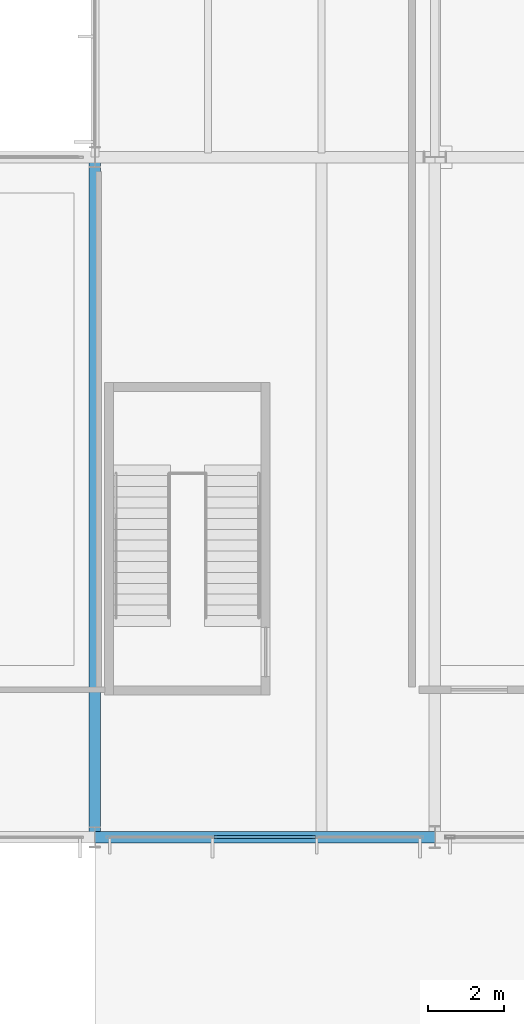
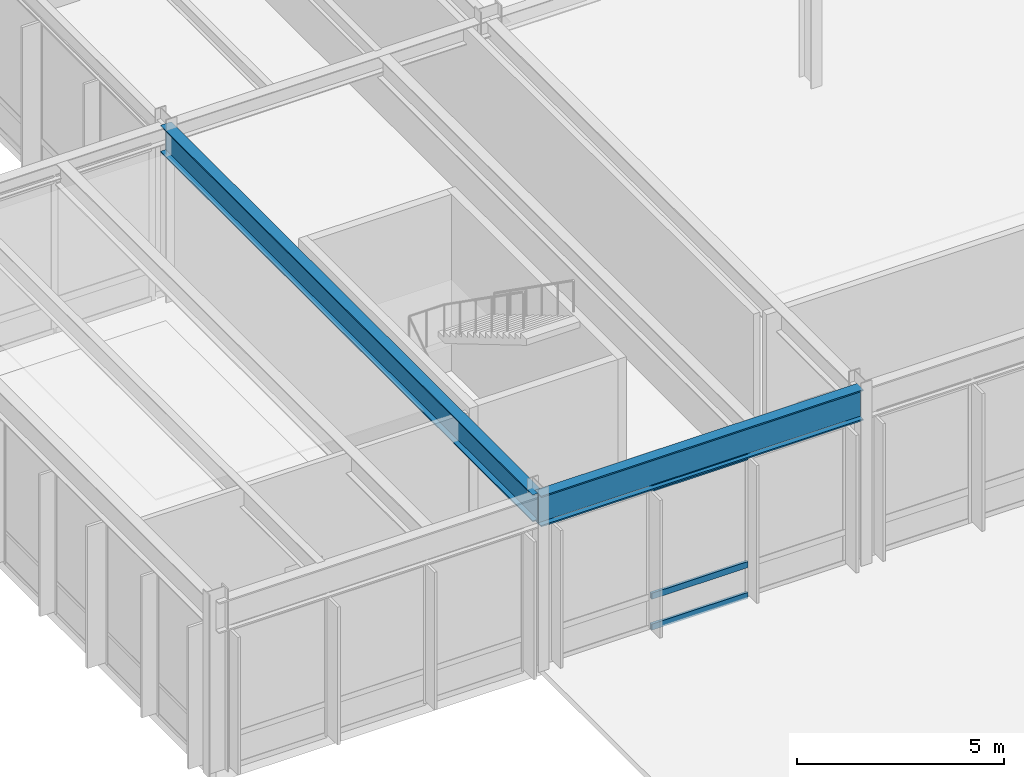
# One storey, part 57 of 143: 3 members, 2 beams, 1 element without a shape of its own.
"""IFC4 building model written with IfcOpenShell, lengths in metres."""

from ifc_helpers import new_model, si_unit, direction, frame, origin, origin_2d, place, context, subcontext, project, spatial, hollow_rectangle, i_section, extrude, material, layer, layer_set, material_profile, profile_set, type_object, element, aggregate, save


model = new_model("IFC4")

# Units and contexts
model_context = context("Model", 3, precision=1e-05, world=origin(), true_north=direction((0.0, 1.0)))
body_context = subcontext(model_context, "Body", "Model", "MODEL_VIEW")
ifc_project = project(units=[si_unit("LENGTHUNIT", "METRE"), si_unit("AREAUNIT", "SQUARE_METRE"), si_unit("VOLUMEUNIT", "CUBIC_METRE"), si_unit("PLANEANGLEUNIT", "RADIAN"), si_unit("MASSUNIT", "GRAM", prefix="KILO")], contexts=[model_context])

# Site, building, storey
site_placement = place(None, origin())
site = spatial("IfcSite", under=ifc_project, at=site_placement, CompositionType="ELEMENT")
building_placement = place(site_placement, origin())
building = spatial("IfcBuilding", under=site, at=building_placement, Name="Montelvaro Courts of Justice", CompositionType="ELEMENT")
storey_placement = place(building_placement, origin())
storey = spatial("IfcBuildingStorey", under=building, at=storey_placement, Name="L00", CompositionType="ELEMENT", Elevation=0.0)

# Beams
ifc_material_1 = material(Name="Steel S355", Category="steel")
ifc_material_profile_1 = material_profile(ifc_material_1, i_section(OverallWidth=0.300048828125, OverallDepth=0.800048828125, WebThickness=0.017578125, FlangeThickness=0.032958984375, at=origin_2d()), Name="HEB 800")
ifc_profile_set_1 = profile_set([ifc_material_profile_1], Name="Steel S355")
beam_type_1 = type_object("IfcBeamType", Name="Beam_HEB800", PredefinedType="USERDEFINED", material=ifc_profile_set_1)
beam_1_placement = place(storey_placement, frame((27.0, 78.0, 4.679931640625), z_axis=(0.0, 1.0, 0.0), x_axis=(-1.0, 0.0, 0.0)))
element("IfcBeam", 1, at=beam_1_placement, inside=storey, type_object=beam_type_1, Name="Beam B-29 L00", ObjectType="GIRDER", PredefinedType="USERDEFINED", context=body_context, shape_type="SweptSolid", body=[
    extrude(i_section(OverallWidth=0.300048828125, OverallDepth=0.800048828125, WebThickness=0.017578125, FlangeThickness=0.032958984375, at=origin_2d()), origin(), (0.0, 0.0, 1.0), 18.0),
])
ifc_material_profile_2 = material_profile(ifc_material_1, i_section(OverallWidth=0.302001953125, OverallDepth=0.909912109375, WebThickness=0.02099609375, FlangeThickness=0.0400390625, at=origin_2d()), Name="HEM 900")
ifc_profile_set_2 = profile_set([ifc_material_profile_2], Name="Steel S355")
beam_type_2 = type_object("IfcBeamType", Name="Beam_HEM900", PredefinedType="USERDEFINED", material=ifc_profile_set_2)
beam_2_placement = place(storey_placement, frame((27.0, 78.0, 4.625), z_axis=(1.0, 0.0, 0.0), x_axis=(0.0, 1.0, 0.0)))
element("IfcBeam", 2, at=beam_2_placement, inside=storey, type_object=beam_type_2, Name="Beam B-31 L00", ObjectType="GIRDER", PredefinedType="USERDEFINED", context=body_context, shape_type="SweptSolid", body=[
    extrude(i_section(OverallWidth=0.302001953125, OverallDepth=0.909912109375, WebThickness=0.02099609375, FlangeThickness=0.0400390625, at=origin_2d()), origin(), (0.0, 0.0, 1.0), 9.0),
])

# Curtain wall, members
ifc_material_2 = material(Name="Anodised aluminium EN AW-6063", Category="aluminium")
ifc_layer = layer(ifc_material_2, 0.159912109375)
ifc_layer_set = layer_set([ifc_layer], Name="Anodised aluminium EN AW-6063")
curtain_wall_type = type_object("IfcCurtainWallType", Name="CurtainWall_01_827x508", PredefinedType="USERDEFINED", material=ifc_layer_set)
curtain_wall_placement = place(storey_placement, origin())
curtain_wall = element("IfcCurtainWall", 3, at=curtain_wall_placement, inside=storey, type_object=curtain_wall_type, Name="Curtain Wall CW-01 (L00)", ObjectType="CURTAIN WALL", PredefinedType="USERDEFINED")
ifc_material_profile_3 = material_profile(ifc_material_2, hollow_rectangle(XDim=0.074951171875, YDim=0.179931640625, WallThickness=0.0048828125, at=origin_2d()), Name="ALU-T 75x180")
ifc_profile_set_3 = profile_set([ifc_material_profile_3], Name="Anodised aluminium EN AW-6063")
member_type = type_object("IfcMemberType", Name="CurtainWall_Transom_75x180", PredefinedType="USERDEFINED", material=ifc_profile_set_3)
member_1_placement = place(storey_placement, frame((30.154052734375, 78.0, 0.03759765625), z_axis=(1.0, 0.0, 0.0), x_axis=(0.0, 1.0, 0.0)))
member_1 = element("IfcMember", 4, at=member_1_placement, type_object=member_type, Name="CW-01 transom 2.1", ObjectType="TRANSOM", PredefinedType="USERDEFINED", context=body_context, shape_type="SweptSolid", body=[
    extrude(hollow_rectangle(XDim=0.074951171875, YDim=0.179931640625, WallThickness=0.0048828125, at=origin_2d()), origin(), (0.0, 0.0, 1.0), 2.69189453125),
])
member_2_placement = place(storey_placement, frame((30.154052734375, 78.0, 0.949951171875), z_axis=(1.0, 0.0, 0.0), x_axis=(0.0, 1.0, 0.0)))
member_2 = element("IfcMember", 5, at=member_2_placement, type_object=member_type, Name="CW-01 transom 2.2", ObjectType="TRANSOM", PredefinedType="USERDEFINED", context=body_context, shape_type="SweptSolid", body=[
    extrude(hollow_rectangle(XDim=0.074951171875, YDim=0.179931640625, WallThickness=0.0048828125, at=origin_2d()), origin(), (0.0, 0.0, 1.0), 2.69189453125),
])
member_3_placement = place(storey_placement, frame((30.154052734375, 78.0, 4.12744140625), z_axis=(1.0, 0.0, 0.0), x_axis=(0.0, 1.0, 0.0)))
member_3 = element("IfcMember", 6, at=member_3_placement, type_object=member_type, Name="CW-01 transom 2.3", ObjectType="TRANSOM", PredefinedType="USERDEFINED", context=body_context, shape_type="SweptSolid", body=[
    extrude(hollow_rectangle(XDim=0.074951171875, YDim=0.179931640625, WallThickness=0.0048828125, at=origin_2d()), origin(), (0.0, 0.0, 1.0), 2.69189453125),
])
aggregate(curtain_wall, [member_1, member_2, member_3])

save(model, "model.ifc")
